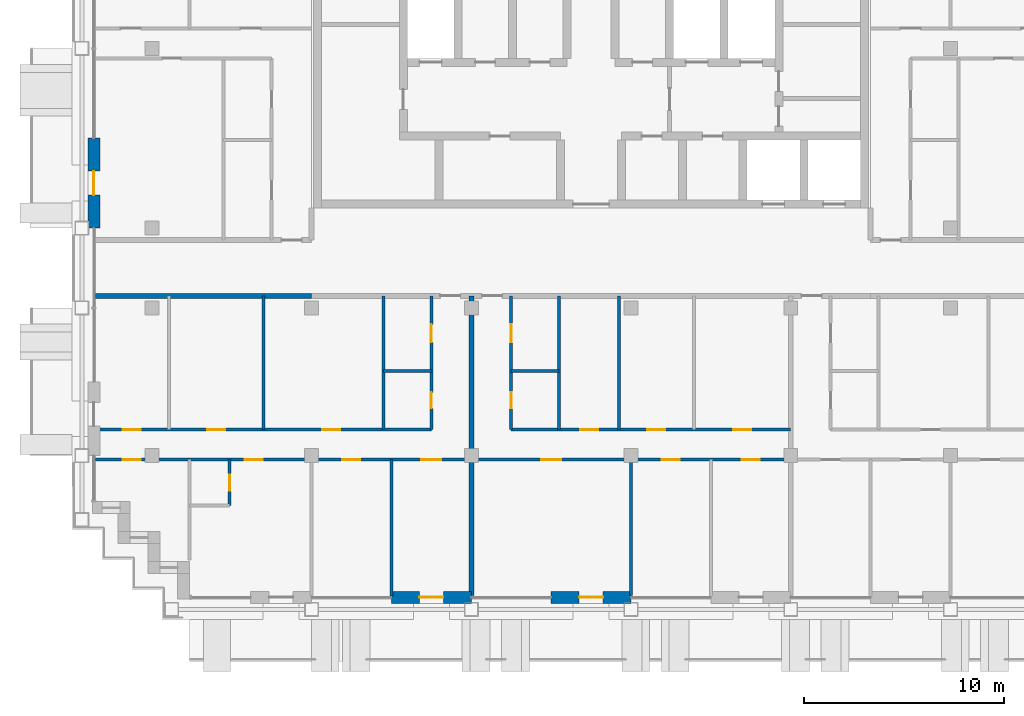
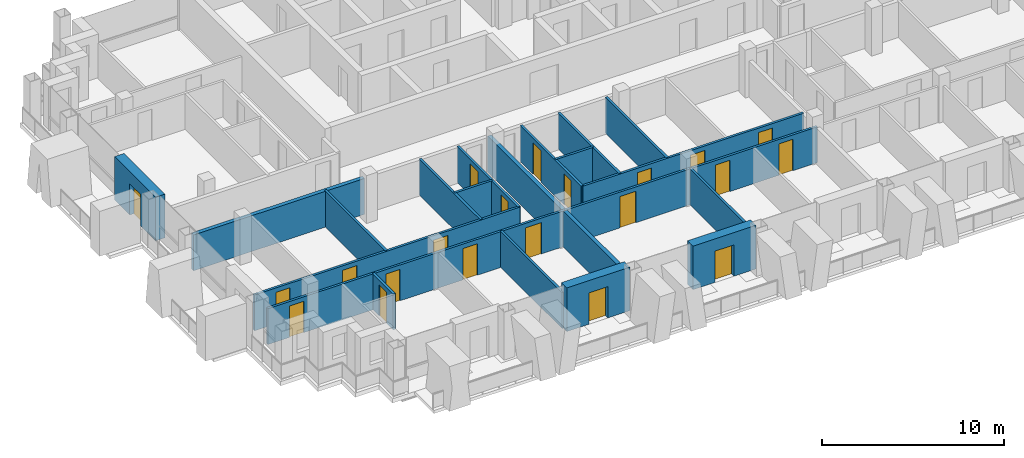
# One storey, part 8 of 16: 21 doors, 20 walls, 21 openings.
"""IFC4 building model written with IfcOpenShell, lengths in metres."""

from ifc_helpers import new_model, si_unit, direction, frame, frame_2d, origin, place, context, subcontext, project, spatial, rectangle, extrude, material, layer, layer_set, type_object, element, fill, save


model = new_model("IFC4")

# Units and contexts
model_context = context("Model", 3, precision=1e-05, world=origin(), true_north=direction((0.0, 1.0)))
body_context = subcontext(model_context, "Body", "Model", "MODEL_VIEW")
ifc_project = project(units=[si_unit("LENGTHUNIT", "METRE"), si_unit("AREAUNIT", "SQUARE_METRE"), si_unit("VOLUMEUNIT", "CUBIC_METRE"), si_unit("PLANEANGLEUNIT", "RADIAN"), si_unit("MASSUNIT", "GRAM", prefix="KILO")], contexts=[model_context])

# Site, building, storey
site_placement = place(None, origin())
site = spatial("IfcSite", under=ifc_project, at=site_placement, CompositionType="ELEMENT")
building_placement = place(site_placement, origin())
building = spatial("IfcBuilding", under=site, at=building_placement, Name="Vidyagriha Tower", CompositionType="ELEMENT")
storey_placement = place(building_placement, frame((0.0, 0.0, 171.699951171875)))
storey = spatial("IfcBuildingStorey", under=building, at=storey_placement, Name="L44", CompositionType="ELEMENT", Elevation=171.699951171875)

# Wall, opening, door
ifc_material_1 = material(Name="Precast concrete C40/50 with brick facing", Category="concrete")
ifc_layer_1 = layer(ifc_material_1, 0.60009765625)
ifc_layer_set_1 = layer_set([ifc_layer_1], Name="Precast concrete C40/50 with brick facing")
wall_type_1 = type_object("IfcWallType", Name="Brick-faced precast wall 600", PredefinedType="STANDARD", material=ifc_layer_set_1)
wall_1_placement = place(storey_placement, frame((-24.89990234375, 6.5, 0.0), z_axis=(0.0, 0.0, 1.0), x_axis=(0.0, -1.0, 0.0)))
wall_1 = element("IfcWall", 1, at=wall_1_placement, inside=storey, type_object=wall_type_1, Name="Brick door bay wall L44 R16.3", PredefinedType="STANDARD", context=body_context, shape_type="SweptSolid", body=[
    extrude(rectangle(XDim=4.5, YDim=0.60009765625, at=frame_2d((2.25, 0.0))), origin(), (0.0, 0.0, 1.0), 2.920166015625),
])
opening_1_placement = place(wall_1_placement, frame((1.64990234375, 0.0, 0.0)))
opening_1 = element("IfcOpeningElement", 2, at=opening_1_placement, cuts=wall_1, Name="Opening D44-68", PredefinedType="OPENING", context=body_context, shape_type="SweptSolid", body=[
    extrude(rectangle(XDim=1.199951171875, YDim=2.10009765625, at=frame_2d((0.60009765625, 1.050048828125))), frame((0.0, 0.31005859375, 0.0), z_axis=(0.0, -1.0, 0.0), x_axis=(1.0, 0.0, 0.0)), (0.0, 0.0, 1.0), 0.6201171875),
])
ifc_material_2 = material(Name="Aluminium framed glazed sliding door", Category="aluminium")
door_type_1 = type_object("IfcDoorType", Name="Balcony sliding door 1200x2100", OperationType="NOTDEFINED", PredefinedType="DOOR", material=ifc_material_2)
door_1_placement = place(opening_1_placement, origin())
door_1 = element("IfcDoor", 3, at=door_1_placement, inside=storey, type_object=door_type_1, Name="Door D44-68", OperationType="SLIDING_TO_LEFT", OverallHeight=2.10009765625, OverallWidth=1.199951171875, PredefinedType="DOOR", context=body_context, shape_type="SweptSolid", body=[
    extrude(rectangle(XDim=1.199951171875, YDim=2.10009765625, at=frame_2d((0.60009765625, 1.050048828125))), frame((0.0, 0.02490234375, 0.0), z_axis=(0.0, -1.0, 0.0), x_axis=(1.0, 0.0, 0.0)), (0.0, 0.0, 1.0), 0.050048828125),
])
fill(opening_1, door_1)

wall_2_placement = place(storey_placement, frame((-10.0, -16.5, 0.0)))
wall_2 = element("IfcWall", 4, at=wall_2_placement, inside=storey, type_object=wall_type_1, Name="Brick door bay wall L44 R23.4", PredefinedType="STANDARD", context=body_context, shape_type="SweptSolid", body=[
    extrude(rectangle(XDim=4.0, YDim=0.60009765625, at=frame_2d((2.0, 0.0))), origin(), (0.0, 0.0, 1.0), 2.920166015625),
])
opening_2_placement = place(wall_2_placement, frame((1.39990234375, 0.0, 0.0)))
opening_2 = element("IfcOpeningElement", 5, at=opening_2_placement, cuts=wall_2, Name="Opening D44-71", PredefinedType="OPENING", context=body_context, shape_type="SweptSolid", body=[
    extrude(rectangle(XDim=1.199951171875, YDim=2.10009765625, at=frame_2d((0.60009765625, 1.050048828125))), frame((0.0, 0.31005859375, 0.0), z_axis=(0.0, -1.0, 0.0), x_axis=(1.0, 0.0, 0.0)), (0.0, 0.0, 1.0), 0.6201171875),
])
door_2_placement = place(opening_2_placement, origin())
door_2 = element("IfcDoor", 6, at=door_2_placement, inside=storey, type_object=door_type_1, Name="Door D44-71", OperationType="SLIDING_TO_LEFT", OverallHeight=2.10009765625, OverallWidth=1.199951171875, PredefinedType="DOOR", context=body_context, shape_type="SweptSolid", body=[
    extrude(rectangle(XDim=1.199951171875, YDim=2.10009765625, at=frame_2d((0.60009765625, 1.050048828125))), frame((0.0, 0.02490234375, 0.0), z_axis=(0.0, -1.0, 0.0), x_axis=(1.0, 0.0, 0.0)), (0.0, 0.0, 1.0), 0.050048828125),
])
fill(opening_2, door_2)

wall_3_placement = place(storey_placement, frame((-2.0, -16.5, 0.0)))
wall_3 = element("IfcWall", 7, at=wall_3_placement, inside=storey, type_object=wall_type_1, Name="Brick door bay wall L44 R23.6", PredefinedType="STANDARD", context=body_context, shape_type="SweptSolid", body=[
    extrude(rectangle(XDim=4.0, YDim=0.60009765625, at=frame_2d((2.0, 0.0))), origin(), (0.0, 0.0, 1.0), 2.920166015625),
])
opening_3_placement = place(wall_3_placement, frame((1.39990234375, 0.0, 0.0)))
opening_3 = element("IfcOpeningElement", 8, at=opening_3_placement, cuts=wall_3, Name="Opening D44-72", PredefinedType="OPENING", context=body_context, shape_type="SweptSolid", body=[
    extrude(rectangle(XDim=1.199951171875, YDim=2.10009765625, at=frame_2d((0.60009765625, 1.050048828125))), frame((0.0, 0.31005859375, 0.0), z_axis=(0.0, -1.0, 0.0), x_axis=(1.0, 0.0, 0.0)), (0.0, 0.0, 1.0), 0.6201171875),
])
door_3_placement = place(opening_3_placement, origin())
door_3 = element("IfcDoor", 9, at=door_3_placement, inside=storey, type_object=door_type_1, Name="Door D44-72", OperationType="SLIDING_TO_LEFT", OverallHeight=2.10009765625, OverallWidth=1.199951171875, PredefinedType="DOOR", context=body_context, shape_type="SweptSolid", body=[
    extrude(rectangle(XDim=1.199951171875, YDim=2.10009765625, at=frame_2d((0.60009765625, 1.050048828125))), frame((0.0, 0.02490234375, 0.0), z_axis=(0.0, -1.0, 0.0), x_axis=(1.0, 0.0, 0.0)), (0.0, 0.0, 1.0), 0.050048828125),
])
fill(opening_3, door_3)

# Walls
ifc_material_3 = material(Name="Fired clay brick masonry", Category="masonry")
ifc_layer_2 = layer(ifc_material_3, 0.25)
ifc_layer_set_2 = layer_set([ifc_layer_2], Name="Fired clay brick masonry")
wall_type_2 = type_object("IfcWallType", Name="Fired clay brick corridor wall 250", PredefinedType="PARTITIONING", material=ifc_layer_set_2)
wall_4_placement = place(storey_placement, frame((-14.0, -1.39990234375, 0.0), z_axis=(0.0, 0.0, 1.0), x_axis=(-1.0, 0.0, 0.0)))
element("IfcWall", 10, at=wall_4_placement, inside=storey, type_object=wall_type_2, Name="Wall all-L44-w066", PredefinedType="PARTITIONING", context=body_context, shape_type="SweptSolid", body=[
    extrude(rectangle(XDim=10.820068359375, YDim=0.25, at=frame_2d((5.41015625, 0.0))), origin(), (0.0, 0.0, 1.0), 2.400146484375),
])
ifc_material_4 = material(Name="Fired clay brick masonry", Category="masonry")
ifc_layer_3 = layer(ifc_material_4, 0.25)
ifc_layer_set_3 = layer_set([ifc_layer_3], Name="Fired clay brick masonry")
wall_type_3 = type_object("IfcWallType", Name="Fired clay brick demising wall 250", PredefinedType="PARTITIONING", material=ifc_layer_set_3)
wall_5_placement = place(storey_placement, frame((-6.0, -1.39990234375, 0.0), z_axis=(0.0, 0.0, 1.0), x_axis=(0.0, -1.0, 0.0)))
element("IfcWall", 11, at=wall_5_placement, inside=storey, type_object=wall_type_3, Name="Wall all-L44-w042", PredefinedType="PARTITIONING", context=body_context, shape_type="SweptSolid", body=[
    extrude(rectangle(XDim=15.010009765625, YDim=0.25, at=frame_2d((7.5048828125, 0.0))), origin(), (0.0, 0.0, 1.0), 2.400146484375),
])
ifc_material_5 = material(Name="Gypsum board partition")
ifc_layer_4 = layer(ifc_material_5, 0.14990234375)
ifc_layer_set_4 = layer_set([ifc_layer_4], Name="Gypsum board partition")
wall_type_4 = type_object("IfcWallType", Name="Gypsum board partition 150", PredefinedType="PARTITIONING", material=ifc_layer_set_4)
wall_6_placement = place(storey_placement, frame((-8.0, -5.14990234375, 0.0), z_axis=(0.0, 0.0, 1.0), x_axis=(-1.0, 0.0, 0.0)))
element("IfcWall", 12, at=wall_6_placement, inside=storey, type_object=wall_type_4, Name="Wall all-L44-w004", PredefinedType="PARTITIONING", context=body_context, shape_type="SweptSolid", body=[
    extrude(rectangle(XDim=2.39990234375, YDim=0.14990234375, at=frame_2d((1.199951171875, 0.0))), origin(), (0.0, 0.0, 1.0), 2.400146484375),
])
for number, where, z_axis, x_axis, name in (
    (13, (-10.39990234375, -8.10009765625, 0.0), (0.0, 0.0, 1.0), (0.0, 1.0, 0.0), "Wall all-L44-w005"),
    (14, (-16.39990234375, -8.10009765625, 0.0), (0.0, 0.0, 1.0), (0.0, 1.0, 0.0), "Wall all-L44-w006"),
):
    element("IfcWall", number, at=place(storey_placement, frame(where, z_axis=z_axis, x_axis=x_axis)), inside=storey, type_object=wall_type_4, Name=name, PredefinedType="PARTITIONING", context=body_context, shape_type="SweptSolid", body=[
        extrude(rectangle(XDim=6.7001953125, YDim=0.14990234375, at=frame_2d((3.35009765625, 0.0))), origin(), (0.0, 0.0, 1.0), 2.400146484375),
    ])

# Wall, openings, doors
wall_7_placement = place(storey_placement, frame((-24.81005859375, -8.10009765625, 0.0)))
wall_7 = element("IfcWall", 15, at=wall_7_placement, inside=storey, type_object=wall_type_4, Name="Wall all-L44-w008", PredefinedType="PARTITIONING", context=body_context, shape_type="SweptSolid", body=[
    extrude(rectangle(XDim=16.81005859375, YDim=0.14990234375, at=frame_2d((8.405029296875, 0.0))), origin(), (0.0, 0.0, 1.0), 2.400146484375),
])
opening_4_placement = place(wall_7_placement, frame((11.35693359375, 0.0, 0.0)))
opening_4 = element("IfcOpeningElement", 16, at=opening_4_placement, cuts=wall_7, Name="Opening D44-19", PredefinedType="OPENING", context=body_context, shape_type="SweptSolid", body=[
    extrude(rectangle(XDim=0.89990234375, YDim=2.10009765625, at=frame_2d((0.449951171875, 1.050048828125))), frame((0.0, 0.0849609375, 0.0), z_axis=(0.0, -1.0, 0.0), x_axis=(1.0, 0.0, 0.0)), (0.0, 0.0, 1.0), 0.169921875),
])
opening_5_placement = place(wall_7_placement, frame((5.5849609375, 0.0, 0.0)))
opening_5 = element("IfcOpeningElement", 17, at=opening_5_placement, cuts=wall_7, Name="Opening D44-20", PredefinedType="OPENING", context=body_context, shape_type="SweptSolid", body=[
    extrude(rectangle(XDim=0.89990234375, YDim=2.10009765625, at=frame_2d((0.449951171875, 1.050048828125))), frame((0.0, 0.0849609375, 0.0), z_axis=(0.0, -1.0, 0.0), x_axis=(1.0, 0.0, 0.0)), (0.0, 0.0, 1.0), 0.169921875),
])
opening_6_placement = place(wall_7_placement, frame((1.363037109375, 0.0, 0.0)))
opening_6 = element("IfcOpeningElement", 18, at=opening_6_placement, cuts=wall_7, Name="Opening D44-21", PredefinedType="OPENING", context=body_context, shape_type="SweptSolid", body=[
    extrude(rectangle(XDim=0.89990234375, YDim=2.10009765625, at=frame_2d((0.449951171875, 1.050048828125))), frame((0.0, 0.0849609375, 0.0), z_axis=(0.0, -1.0, 0.0), x_axis=(1.0, 0.0, 0.0)), (0.0, 0.0, 1.0), 0.169921875),
])
ifc_material_6 = material(Name="Timber door leaf", Category="wood")
door_type_2 = type_object("IfcDoorType", Name="Room door 900x2100", OperationType="NOTDEFINED", PredefinedType="DOOR", material=ifc_material_6)
door_4_placement = place(opening_4_placement, origin())
door_4 = element("IfcDoor", 19, at=door_4_placement, inside=storey, type_object=door_type_2, Name="Door D44-19", OperationType="SINGLE_SWING_RIGHT", OverallHeight=2.10009765625, OverallWidth=0.89990234375, PredefinedType="DOOR", context=body_context, shape_type="SweptSolid", body=[
    extrude(rectangle(XDim=0.89990234375, YDim=2.10009765625, at=frame_2d((0.449951171875, 1.050048828125))), frame((0.0, 0.02490234375, 0.0), z_axis=(0.0, -1.0, 0.0), x_axis=(1.0, 0.0, 0.0)), (0.0, 0.0, 1.0), 0.050048828125),
])
fill(opening_4, door_4)
door_5_placement = place(opening_5_placement, origin())
door_5 = element("IfcDoor", 20, at=door_5_placement, inside=storey, type_object=door_type_2, Name="Door D44-20", OperationType="SINGLE_SWING_RIGHT", OverallHeight=2.10009765625, OverallWidth=0.89990234375, PredefinedType="DOOR", context=body_context, shape_type="SweptSolid", body=[
    extrude(rectangle(XDim=0.89990234375, YDim=2.10009765625, at=frame_2d((0.449951171875, 1.050048828125))), frame((0.0, 0.02490234375, 0.0), z_axis=(0.0, -1.0, 0.0), x_axis=(1.0, 0.0, 0.0)), (0.0, 0.0, 1.0), 0.050048828125),
])
fill(opening_5, door_5)
door_6_placement = place(opening_6_placement, origin())
door_6 = element("IfcDoor", 21, at=door_6_placement, inside=storey, type_object=door_type_2, Name="Door D44-21", OperationType="SINGLE_SWING_LEFT", OverallHeight=2.10009765625, OverallWidth=0.89990234375, PredefinedType="DOOR", context=body_context, shape_type="SweptSolid", body=[
    extrude(rectangle(XDim=0.89990234375, YDim=2.10009765625, at=frame_2d((0.449951171875, 1.050048828125))), frame((0.0, 0.02490234375, 0.0), z_axis=(0.0, -1.0, 0.0), x_axis=(1.0, 0.0, 0.0)), (0.0, 0.0, 1.0), 0.050048828125),
])
fill(opening_6, door_6)

wall_8_placement = place(storey_placement, frame((-6.0, -9.60009765625, 0.0), z_axis=(0.0, 0.0, 1.0), x_axis=(-1.0, 0.0, 0.0)))
wall_8 = element("IfcWall", 22, at=wall_8_placement, inside=storey, type_object=wall_type_4, Name="Wall all-L44-w012", PredefinedType="PARTITIONING", context=body_context, shape_type="SweptSolid", body=[
    extrude(rectangle(XDim=18.820068359375, YDim=0.14990234375, at=frame_2d((9.41015625, 0.0))), origin(), (0.0, 0.0, 1.0), 2.400146484375),
])
opening_7_placement = place(wall_8_placement, frame((16.547119140625, 0.0, 0.0)))
opening_7 = element("IfcOpeningElement", 23, at=opening_7_placement, cuts=wall_8, Name="Opening D44-22", PredefinedType="OPENING", context=body_context, shape_type="SweptSolid", body=[
    extrude(rectangle(XDim=0.89990234375, YDim=2.10009765625, at=frame_2d((0.449951171875, 1.050048828125))), frame((0.0, 0.0849609375, 0.0), z_axis=(0.0, -1.0, 0.0), x_axis=(1.0, 0.0, 0.0)), (0.0, 0.0, 1.0), 0.169921875),
])
opening_8_placement = place(wall_8_placement, frame((10.449951171875, 0.0, 0.0)))
opening_8 = element("IfcOpeningElement", 24, at=opening_8_placement, cuts=wall_8, Name="Opening D44-23", PredefinedType="OPENING", context=body_context, shape_type="SweptSolid", body=[
    extrude(rectangle(XDim=0.89990234375, YDim=2.10009765625, at=frame_2d((0.449951171875, 1.050048828125))), frame((0.0, 0.0849609375, 0.0), z_axis=(0.0, -1.0, 0.0), x_axis=(1.0, 0.0, 0.0)), (0.0, 0.0, 1.0), 0.169921875),
])
opening_9_placement = place(wall_8_placement, frame((5.550048828125, 0.0, 0.0)))
opening_9 = element("IfcOpeningElement", 25, at=opening_9_placement, cuts=wall_8, Name="Opening D44-24", PredefinedType="OPENING", context=body_context, shape_type="SweptSolid", body=[
    extrude(rectangle(XDim=0.89990234375, YDim=2.10009765625, at=frame_2d((0.449951171875, 1.050048828125))), frame((0.0, 0.0849609375, 0.0), z_axis=(0.0, -1.0, 0.0), x_axis=(1.0, 0.0, 0.0)), (0.0, 0.0, 1.0), 0.169921875),
])
opening_10_placement = place(wall_8_placement, frame((1.5, 0.0, 0.0)))
opening_10 = element("IfcOpeningElement", 26, at=opening_10_placement, cuts=wall_8, Name="Opening D44-25", PredefinedType="OPENING", context=body_context, shape_type="SweptSolid", body=[
    extrude(rectangle(XDim=1.0, YDim=2.10009765625, at=frame_2d((0.5, 1.050048828125))), frame((0.0, 0.0849609375, 0.0), z_axis=(0.0, -1.0, 0.0), x_axis=(1.0, 0.0, 0.0)), (0.0, 0.0, 1.0), 0.169921875),
])
ifc_material_7 = material(Name="Timber door leaf", Category="wood")
door_type_3 = type_object("IfcDoorType", Name="Room door 1000x2100", OperationType="NOTDEFINED", PredefinedType="DOOR", material=ifc_material_7)
door_7_placement = place(opening_10_placement, origin())
door_7 = element("IfcDoor", 27, at=door_7_placement, inside=storey, type_object=door_type_3, Name="Door D44-25", OperationType="SINGLE_SWING_RIGHT", OverallHeight=2.10009765625, OverallWidth=1.0, PredefinedType="DOOR", context=body_context, shape_type="SweptSolid", body=[
    extrude(rectangle(XDim=1.0, YDim=2.10009765625, at=frame_2d((0.5, 1.050048828125))), frame((0.0, 0.02490234375, 0.0), z_axis=(0.0, -1.0, 0.0), x_axis=(1.0, 0.0, 0.0)), (0.0, 0.0, 1.0), 0.050048828125),
])
fill(opening_10, door_7)
door_8_placement = place(opening_7_placement, origin())
door_8 = element("IfcDoor", 28, at=door_8_placement, inside=storey, type_object=door_type_2, Name="Door D44-22", OperationType="SINGLE_SWING_RIGHT", OverallHeight=2.10009765625, OverallWidth=0.89990234375, PredefinedType="DOOR", context=body_context, shape_type="SweptSolid", body=[
    extrude(rectangle(XDim=0.89990234375, YDim=2.10009765625, at=frame_2d((0.449951171875, 1.050048828125))), frame((0.0, 0.02490234375, 0.0), z_axis=(0.0, -1.0, 0.0), x_axis=(1.0, 0.0, 0.0)), (0.0, 0.0, 1.0), 0.050048828125),
])
fill(opening_7, door_8)
door_9_placement = place(opening_8_placement, origin())
door_9 = element("IfcDoor", 29, at=door_9_placement, inside=storey, type_object=door_type_2, Name="Door D44-23", OperationType="SINGLE_SWING_LEFT", OverallHeight=2.10009765625, OverallWidth=0.89990234375, PredefinedType="DOOR", context=body_context, shape_type="SweptSolid", body=[
    extrude(rectangle(XDim=0.89990234375, YDim=2.10009765625, at=frame_2d((0.449951171875, 1.050048828125))), frame((0.0, 0.02490234375, 0.0), z_axis=(0.0, -1.0, 0.0), x_axis=(1.0, 0.0, 0.0)), (0.0, 0.0, 1.0), 0.050048828125),
])
fill(opening_8, door_9)
door_10_placement = place(opening_9_placement, origin())
door_10 = element("IfcDoor", 30, at=door_10_placement, inside=storey, type_object=door_type_2, Name="Door D44-24", OperationType="SINGLE_SWING_RIGHT", OverallHeight=2.10009765625, OverallWidth=0.89990234375, PredefinedType="DOOR", context=body_context, shape_type="SweptSolid", body=[
    extrude(rectangle(XDim=0.89990234375, YDim=2.10009765625, at=frame_2d((0.449951171875, 1.050048828125))), frame((0.0, 0.02490234375, 0.0), z_axis=(0.0, -1.0, 0.0), x_axis=(1.0, 0.0, 0.0)), (0.0, 0.0, 1.0), 0.050048828125),
])
fill(opening_9, door_10)

# Wall
wall_9_placement = place(storey_placement, frame((-10.0, -9.60009765625, 0.0), z_axis=(0.0, 0.0, 1.0), x_axis=(0.0, -1.0, 0.0)))
element("IfcWall", 31, at=wall_9_placement, inside=storey, type_object=wall_type_4, Name="Wall all-L44-w019", PredefinedType="PARTITIONING", context=body_context, shape_type="SweptSolid", body=[
    extrude(rectangle(XDim=6.82080078125, YDim=0.14990234375, at=frame_2d((3.410400390625, 0.0))), origin(), (0.0, 0.0, 1.0), 2.400146484375),
])

# Wall, opening, door
wall_10_placement = place(storey_placement, frame((-18.10009765625, -9.60009765625, 0.0), z_axis=(0.0, 0.0, 1.0), x_axis=(0.0, -1.0, 0.0)))
wall_10 = element("IfcWall", 32, at=wall_10_placement, inside=storey, type_object=wall_type_4, Name="Wall all-L44-w020", PredefinedType="PARTITIONING", context=body_context, shape_type="SweptSolid", body=[
    extrude(rectangle(XDim=2.2998046875, YDim=0.14990234375, at=frame_2d((1.14990234375, 0.0))), origin(), (0.0, 0.0, 1.0), 2.400146484375),
])
opening_11_placement = place(wall_10_placement, frame((0.75, 0.0, 0.0)))
opening_11 = element("IfcOpeningElement", 33, at=opening_11_placement, cuts=wall_10, Name="Opening D44-26", PredefinedType="OPENING", context=body_context, shape_type="SweptSolid", body=[
    extrude(rectangle(XDim=0.800048828125, YDim=2.10009765625, at=frame_2d((0.39990234375, 1.050048828125))), frame((0.0, 0.0849609375, 0.0), z_axis=(0.0, -1.0, 0.0), x_axis=(1.0, 0.0, 0.0)), (0.0, 0.0, 1.0), 0.169921875),
])
ifc_material_8 = material(Name="Timber door leaf", Category="wood")
door_type_4 = type_object("IfcDoorType", Name="Bathroom door 800x2100", OperationType="NOTDEFINED", PredefinedType="DOOR", material=ifc_material_8)
door_11_placement = place(opening_11_placement, origin())
door_11 = element("IfcDoor", 34, at=door_11_placement, inside=storey, type_object=door_type_4, Name="Door D44-26", OperationType="SINGLE_SWING_LEFT", OverallHeight=2.10009765625, OverallWidth=0.800048828125, PredefinedType="DOOR", context=body_context, shape_type="SweptSolid", body=[
    extrude(rectangle(XDim=0.800048828125, YDim=2.10009765625, at=frame_2d((0.39990234375, 1.050048828125))), frame((0.0, 0.02490234375, 0.0), z_axis=(0.0, -1.0, 0.0), x_axis=(1.0, 0.0, 0.0)), (0.0, 0.0, 1.0), 0.050048828125),
])
fill(opening_11, door_11)

# Walls
wall_11_placement = place(storey_placement, frame((-1.60009765625, -5.14990234375, 0.0), z_axis=(0.0, 0.0, 1.0), x_axis=(-1.0, 0.0, 0.0)))
element("IfcWall", 35, at=wall_11_placement, inside=storey, type_object=wall_type_4, Name="Wall all-L44-w027", PredefinedType="PARTITIONING", context=body_context, shape_type="SweptSolid", body=[
    extrude(rectangle(XDim=2.39990234375, YDim=0.14990234375, at=frame_2d((1.199951171875, 0.0))), origin(), (0.0, 0.0, 1.0), 2.400146484375),
])
for number, where, z_axis, x_axis, name in (
    (36, (-1.60009765625, -1.39990234375, 0.0), (0.0, 0.0, 1.0), (0.0, -1.0, 0.0), "Wall all-L44-w028"),
    (37, (1.39990234375, -1.39990234375, 0.0), (0.0, 0.0, 1.0), (0.0, -1.0, 0.0), "Wall all-L44-w029"),
):
    element("IfcWall", number, at=place(storey_placement, frame(where, z_axis=z_axis, x_axis=x_axis)), inside=storey, type_object=wall_type_4, Name=name, PredefinedType="PARTITIONING", context=body_context, shape_type="SweptSolid", body=[
        extrude(rectangle(XDim=6.7001953125, YDim=0.14990234375, at=frame_2d((3.35009765625, 0.0))), origin(), (0.0, 0.0, 1.0), 2.400146484375),
    ])

# Wall, openings, doors
wall_12_placement = place(storey_placement, frame((-4.0, -8.10009765625, 0.0)))
wall_12 = element("IfcWall", 38, at=wall_12_placement, inside=storey, type_object=wall_type_4, Name="Wall all-L44-w031", PredefinedType="PARTITIONING", context=body_context, shape_type="SweptSolid", body=[
    extrude(rectangle(XDim=14.0, YDim=0.14990234375, at=frame_2d((7.0, 0.0))), origin(), (0.0, 0.0, 1.0), 2.400146484375),
])
opening_12_placement = place(wall_12_placement, frame((3.449951171875, 0.0, 0.0)))
opening_12 = element("IfcOpeningElement", 39, at=opening_12_placement, cuts=wall_12, Name="Opening D44-30", PredefinedType="OPENING", context=body_context, shape_type="SweptSolid", body=[
    extrude(rectangle(XDim=0.89990234375, YDim=2.10009765625, at=frame_2d((0.449951171875, 1.050048828125))), frame((0.0, 0.0849609375, 0.0), z_axis=(0.0, -1.0, 0.0), x_axis=(1.0, 0.0, 0.0)), (0.0, 0.0, 1.0), 0.169921875),
])
opening_13_placement = place(wall_12_placement, frame((6.824951171875, 0.0, 0.0)))
opening_13 = element("IfcOpeningElement", 40, at=opening_13_placement, cuts=wall_12, Name="Opening D44-31", PredefinedType="OPENING", context=body_context, shape_type="SweptSolid", body=[
    extrude(rectangle(XDim=0.89990234375, YDim=2.10009765625, at=frame_2d((0.449951171875, 1.050048828125))), frame((0.0, 0.0849609375, 0.0), z_axis=(0.0, -1.0, 0.0), x_axis=(1.0, 0.0, 0.0)), (0.0, 0.0, 1.0), 0.169921875),
])
opening_14_placement = place(wall_12_placement, frame((11.125, 0.0, 0.0)))
opening_14 = element("IfcOpeningElement", 41, at=opening_14_placement, cuts=wall_12, Name="Opening D44-32", PredefinedType="OPENING", context=body_context, shape_type="SweptSolid", body=[
    extrude(rectangle(XDim=0.89990234375, YDim=2.10009765625, at=frame_2d((0.449951171875, 1.050048828125))), frame((0.0, 0.0849609375, 0.0), z_axis=(0.0, -1.0, 0.0), x_axis=(1.0, 0.0, 0.0)), (0.0, 0.0, 1.0), 0.169921875),
])
door_12_placement = place(opening_12_placement, origin())
door_12 = element("IfcDoor", 42, at=door_12_placement, inside=storey, type_object=door_type_2, Name="Door D44-30", OperationType="SINGLE_SWING_RIGHT", OverallHeight=2.10009765625, OverallWidth=0.89990234375, PredefinedType="DOOR", context=body_context, shape_type="SweptSolid", body=[
    extrude(rectangle(XDim=0.89990234375, YDim=2.10009765625, at=frame_2d((0.449951171875, 1.050048828125))), frame((0.0, 0.02490234375, 0.0), z_axis=(0.0, -1.0, 0.0), x_axis=(1.0, 0.0, 0.0)), (0.0, 0.0, 1.0), 0.050048828125),
])
fill(opening_12, door_12)
door_13_placement = place(opening_13_placement, origin())
door_13 = element("IfcDoor", 43, at=door_13_placement, inside=storey, type_object=door_type_2, Name="Door D44-31", OperationType="SINGLE_SWING_RIGHT", OverallHeight=2.10009765625, OverallWidth=0.89990234375, PredefinedType="DOOR", context=body_context, shape_type="SweptSolid", body=[
    extrude(rectangle(XDim=0.89990234375, YDim=2.10009765625, at=frame_2d((0.449951171875, 1.050048828125))), frame((0.0, 0.02490234375, 0.0), z_axis=(0.0, -1.0, 0.0), x_axis=(1.0, 0.0, 0.0)), (0.0, 0.0, 1.0), 0.050048828125),
])
fill(opening_13, door_13)
door_14_placement = place(opening_14_placement, origin())
door_14 = element("IfcDoor", 44, at=door_14_placement, inside=storey, type_object=door_type_2, Name="Door D44-32", OperationType="SINGLE_SWING_LEFT", OverallHeight=2.10009765625, OverallWidth=0.89990234375, PredefinedType="DOOR", context=body_context, shape_type="SweptSolid", body=[
    extrude(rectangle(XDim=0.89990234375, YDim=2.10009765625, at=frame_2d((0.449951171875, 1.050048828125))), frame((0.0, 0.02490234375, 0.0), z_axis=(0.0, -1.0, 0.0), x_axis=(1.0, 0.0, 0.0)), (0.0, 0.0, 1.0), 0.050048828125),
])
fill(opening_14, door_14)

wall_13_placement = place(storey_placement, frame((10.0, -9.60009765625, 0.0), z_axis=(0.0, 0.0, 1.0), x_axis=(-1.0, 0.0, 0.0)))
wall_13 = element("IfcWall", 45, at=wall_13_placement, inside=storey, type_object=wall_type_4, Name="Wall all-L44-w035", PredefinedType="PARTITIONING", context=body_context, shape_type="SweptSolid", body=[
    extrude(rectangle(XDim=16.0, YDim=0.14990234375, at=frame_2d((8.0, 0.0))), origin(), (0.0, 0.0, 1.0), 2.400146484375),
])
opening_15_placement = place(wall_13_placement, frame((11.5, 0.0, 0.0)))
opening_15 = element("IfcOpeningElement", 46, at=opening_15_placement, cuts=wall_13, Name="Opening D44-33", PredefinedType="OPENING", context=body_context, shape_type="SweptSolid", body=[
    extrude(rectangle(XDim=1.0, YDim=2.10009765625, at=frame_2d((0.5, 1.050048828125))), frame((0.0, 0.0849609375, 0.0), z_axis=(0.0, -1.0, 0.0), x_axis=(1.0, 0.0, 0.0)), (0.0, 0.0, 1.0), 0.169921875),
])
opening_16_placement = place(wall_13_placement, frame((5.550048828125, 0.0, 0.0)))
opening_16 = element("IfcOpeningElement", 47, at=opening_16_placement, cuts=wall_13, Name="Opening D44-34", PredefinedType="OPENING", context=body_context, shape_type="SweptSolid", body=[
    extrude(rectangle(XDim=0.89990234375, YDim=2.10009765625, at=frame_2d((0.449951171875, 1.050048828125))), frame((0.0, 0.0849609375, 0.0), z_axis=(0.0, -1.0, 0.0), x_axis=(1.0, 0.0, 0.0)), (0.0, 0.0, 1.0), 0.169921875),
])
opening_17_placement = place(wall_13_placement, frame((1.550048828125, 0.0, 0.0)))
opening_17 = element("IfcOpeningElement", 48, at=opening_17_placement, cuts=wall_13, Name="Opening D44-35", PredefinedType="OPENING", context=body_context, shape_type="SweptSolid", body=[
    extrude(rectangle(XDim=0.89990234375, YDim=2.10009765625, at=frame_2d((0.449951171875, 1.050048828125))), frame((0.0, 0.0849609375, 0.0), z_axis=(0.0, -1.0, 0.0), x_axis=(1.0, 0.0, 0.0)), (0.0, 0.0, 1.0), 0.169921875),
])
door_15_placement = place(opening_15_placement, origin())
door_15 = element("IfcDoor", 49, at=door_15_placement, inside=storey, type_object=door_type_3, Name="Door D44-33", OperationType="SINGLE_SWING_RIGHT", OverallHeight=2.10009765625, OverallWidth=1.0, PredefinedType="DOOR", context=body_context, shape_type="SweptSolid", body=[
    extrude(rectangle(XDim=1.0, YDim=2.10009765625, at=frame_2d((0.5, 1.050048828125))), frame((0.0, 0.02490234375, 0.0), z_axis=(0.0, -1.0, 0.0), x_axis=(1.0, 0.0, 0.0)), (0.0, 0.0, 1.0), 0.050048828125),
])
fill(opening_15, door_15)
door_16_placement = place(opening_16_placement, origin())
door_16 = element("IfcDoor", 50, at=door_16_placement, inside=storey, type_object=door_type_2, Name="Door D44-34", OperationType="SINGLE_SWING_RIGHT", OverallHeight=2.10009765625, OverallWidth=0.89990234375, PredefinedType="DOOR", context=body_context, shape_type="SweptSolid", body=[
    extrude(rectangle(XDim=0.89990234375, YDim=2.10009765625, at=frame_2d((0.449951171875, 1.050048828125))), frame((0.0, 0.02490234375, 0.0), z_axis=(0.0, -1.0, 0.0), x_axis=(1.0, 0.0, 0.0)), (0.0, 0.0, 1.0), 0.050048828125),
])
fill(opening_16, door_16)
door_17_placement = place(opening_17_placement, origin())
door_17 = element("IfcDoor", 51, at=door_17_placement, inside=storey, type_object=door_type_2, Name="Door D44-35", OperationType="SINGLE_SWING_RIGHT", OverallHeight=2.10009765625, OverallWidth=0.89990234375, PredefinedType="DOOR", context=body_context, shape_type="SweptSolid", body=[
    extrude(rectangle(XDim=0.89990234375, YDim=2.10009765625, at=frame_2d((0.449951171875, 1.050048828125))), frame((0.0, 0.02490234375, 0.0), z_axis=(0.0, -1.0, 0.0), x_axis=(1.0, 0.0, 0.0)), (0.0, 0.0, 1.0), 0.050048828125),
])
fill(opening_17, door_17)

# Wall
wall_14_placement = place(storey_placement, frame((2.0, -9.60009765625, 0.0), z_axis=(0.0, 0.0, 1.0), x_axis=(0.0, -1.0, 0.0)))
element("IfcWall", 52, at=wall_14_placement, inside=storey, type_object=wall_type_4, Name="Wall all-L44-w039", PredefinedType="PARTITIONING", context=body_context, shape_type="SweptSolid", body=[
    extrude(rectangle(XDim=6.809814453125, YDim=0.14990234375, at=frame_2d((3.40478515625, 0.0))), origin(), (0.0, 0.0, 1.0), 2.400146484375),
])

# Wall, openings, doors
ifc_material_9 = material(Name="Moisture resistant gypsum board partition")
ifc_layer_5 = layer(ifc_material_9, 0.14990234375)
ifc_layer_set_5 = layer_set([ifc_layer_5], Name="Moisture resistant gypsum board partition")
wall_type_5 = type_object("IfcWallType", Name="Gypsum board wet-area partition 150", PredefinedType="PARTITIONING", material=ifc_layer_set_5)
wall_15_placement = place(storey_placement, frame((-8.0, -8.10009765625, 0.0), z_axis=(0.0, 0.0, 1.0), x_axis=(0.0, 1.0, 0.0)))
wall_15 = element("IfcWall", 53, at=wall_15_placement, inside=storey, type_object=wall_type_5, Name="Wall all-L44-w001", PredefinedType="PARTITIONING", context=body_context, shape_type="SweptSolid", body=[
    extrude(rectangle(XDim=6.7001953125, YDim=0.14990234375, at=frame_2d((3.35009765625, 0.0))), origin(), (0.0, 0.0, 1.0), 2.400146484375),
])
opening_18_placement = place(wall_15_placement, frame((4.375, 0.0, 0.0)))
opening_18 = element("IfcOpeningElement", 54, at=opening_18_placement, cuts=wall_15, Name="Opening D44-17", PredefinedType="OPENING", context=body_context, shape_type="SweptSolid", body=[
    extrude(rectangle(XDim=0.89990234375, YDim=2.10009765625, at=frame_2d((0.449951171875, 1.050048828125))), frame((0.0, 0.0849609375, 0.0), z_axis=(0.0, -1.0, 0.0), x_axis=(1.0, 0.0, 0.0)), (0.0, 0.0, 1.0), 0.169921875),
])
opening_19_placement = place(wall_15_placement, frame((1.074951171875, 0.0, 0.0)))
opening_19 = element("IfcOpeningElement", 55, at=opening_19_placement, cuts=wall_15, Name="Opening D44-18", PredefinedType="OPENING", context=body_context, shape_type="SweptSolid", body=[
    extrude(rectangle(XDim=0.800048828125, YDim=2.10009765625, at=frame_2d((0.39990234375, 1.050048828125))), frame((0.0, 0.0849609375, 0.0), z_axis=(0.0, -1.0, 0.0), x_axis=(1.0, 0.0, 0.0)), (0.0, 0.0, 1.0), 0.169921875),
])
door_18_placement = place(opening_19_placement, origin())
door_18 = element("IfcDoor", 56, at=door_18_placement, inside=storey, type_object=door_type_4, Name="Door D44-18", OperationType="SINGLE_SWING_RIGHT", OverallHeight=2.10009765625, OverallWidth=0.800048828125, PredefinedType="DOOR", context=body_context, shape_type="SweptSolid", body=[
    extrude(rectangle(XDim=0.800048828125, YDim=2.10009765625, at=frame_2d((0.39990234375, 1.050048828125))), frame((0.0, 0.02490234375, 0.0), z_axis=(0.0, -1.0, 0.0), x_axis=(1.0, 0.0, 0.0)), (0.0, 0.0, 1.0), 0.050048828125),
])
fill(opening_19, door_18)
ifc_material_10 = material(Name="Timber door leaf", Category="wood")
door_type_5 = type_object("IfcDoorType", Name="Kitchen door 900x2100", OperationType="NOTDEFINED", PredefinedType="DOOR", material=ifc_material_10)
door_19_placement = place(opening_18_placement, origin())
door_19 = element("IfcDoor", 57, at=door_19_placement, inside=storey, type_object=door_type_5, Name="Door D44-17", OperationType="SINGLE_SWING_LEFT", OverallHeight=2.10009765625, OverallWidth=0.89990234375, PredefinedType="DOOR", context=body_context, shape_type="SweptSolid", body=[
    extrude(rectangle(XDim=0.89990234375, YDim=2.10009765625, at=frame_2d((0.449951171875, 1.050048828125))), frame((0.0, 0.02490234375, 0.0), z_axis=(0.0, -1.0, 0.0), x_axis=(1.0, 0.0, 0.0)), (0.0, 0.0, 1.0), 0.050048828125),
])
fill(opening_18, door_19)

wall_16_placement = place(storey_placement, frame((-4.0, -1.39990234375, 0.0), z_axis=(0.0, 0.0, 1.0), x_axis=(0.0, -1.0, 0.0)))
wall_16 = element("IfcWall", 58, at=wall_16_placement, inside=storey, type_object=wall_type_5, Name="Wall all-L44-w024", PredefinedType="PARTITIONING", context=body_context, shape_type="SweptSolid", body=[
    extrude(rectangle(XDim=6.7001953125, YDim=0.14990234375, at=frame_2d((3.35009765625, 0.0))), origin(), (0.0, 0.0, 1.0), 2.400146484375),
])
opening_20_placement = place(wall_16_placement, frame((1.425048828125, 0.0, 0.0)))
opening_20 = element("IfcOpeningElement", 59, at=opening_20_placement, cuts=wall_16, Name="Opening D44-28", PredefinedType="OPENING", context=body_context, shape_type="SweptSolid", body=[
    extrude(rectangle(XDim=0.89990234375, YDim=2.10009765625, at=frame_2d((0.449951171875, 1.050048828125))), frame((0.0, 0.0849609375, 0.0), z_axis=(0.0, -1.0, 0.0), x_axis=(1.0, 0.0, 0.0)), (0.0, 0.0, 1.0), 0.169921875),
])
opening_21_placement = place(wall_16_placement, frame((4.824951171875, 0.0, 0.0)))
opening_21 = element("IfcOpeningElement", 60, at=opening_21_placement, cuts=wall_16, Name="Opening D44-29", PredefinedType="OPENING", context=body_context, shape_type="SweptSolid", body=[
    extrude(rectangle(XDim=0.800048828125, YDim=2.10009765625, at=frame_2d((0.39990234375, 1.050048828125))), frame((0.0, 0.0849609375, 0.0), z_axis=(0.0, -1.0, 0.0), x_axis=(1.0, 0.0, 0.0)), (0.0, 0.0, 1.0), 0.169921875),
])
door_20_placement = place(opening_21_placement, origin())
door_20 = element("IfcDoor", 61, at=door_20_placement, inside=storey, type_object=door_type_4, Name="Door D44-29", OperationType="SINGLE_SWING_RIGHT", OverallHeight=2.10009765625, OverallWidth=0.800048828125, PredefinedType="DOOR", context=body_context, shape_type="SweptSolid", body=[
    extrude(rectangle(XDim=0.800048828125, YDim=2.10009765625, at=frame_2d((0.39990234375, 1.050048828125))), frame((0.0, 0.02490234375, 0.0), z_axis=(0.0, -1.0, 0.0), x_axis=(1.0, 0.0, 0.0)), (0.0, 0.0, 1.0), 0.050048828125),
])
fill(opening_21, door_20)
door_21_placement = place(opening_20_placement, origin())
door_21 = element("IfcDoor", 62, at=door_21_placement, inside=storey, type_object=door_type_5, Name="Door D44-28", OperationType="SINGLE_SWING_LEFT", OverallHeight=2.10009765625, OverallWidth=0.89990234375, PredefinedType="DOOR", context=body_context, shape_type="SweptSolid", body=[
    extrude(rectangle(XDim=0.89990234375, YDim=2.10009765625, at=frame_2d((0.449951171875, 1.050048828125))), frame((0.0, 0.02490234375, 0.0), z_axis=(0.0, -1.0, 0.0), x_axis=(1.0, 0.0, 0.0)), (0.0, 0.0, 1.0), 0.050048828125),
])
fill(opening_20, door_21)

save(model, "model.ifc")
